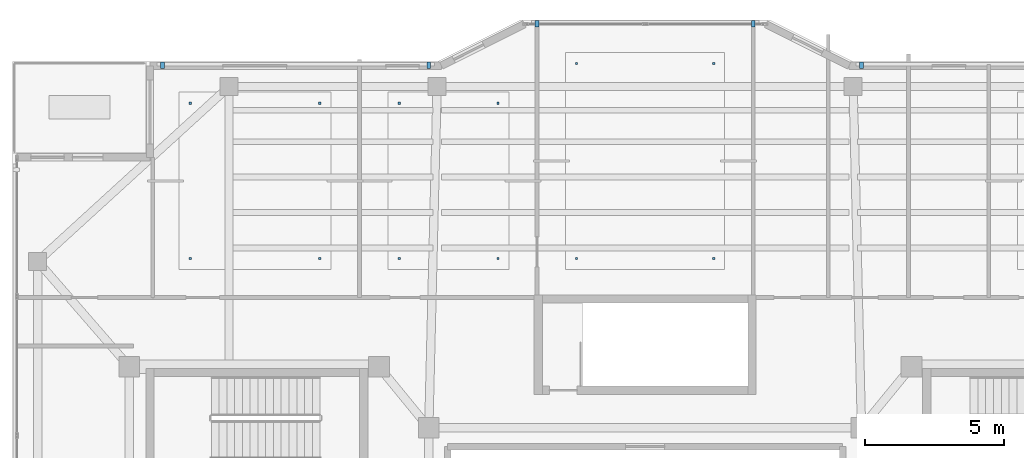
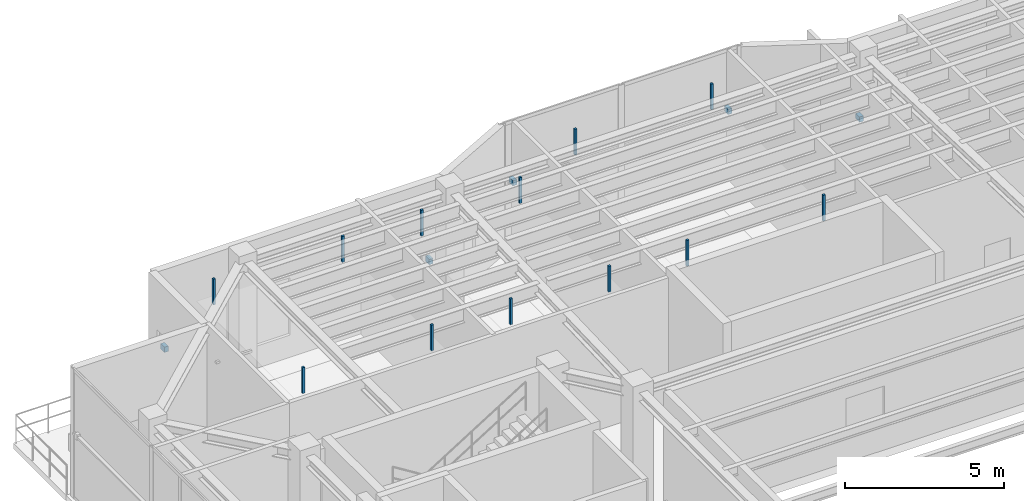
# One storey, part 19 of 23: 17 discrete accessories.
"""IFC4 building model written with IfcOpenShell, lengths in metres."""

from ifc_helpers import new_model, si_unit, direction, frame, origin, origin_2d, place, context, subcontext, project, spatial, rectangle, extrude, material, type_object, element, save


model = new_model("IFC4")

# Units and contexts
model_context = context("Model", 3, precision=1e-05, world=origin(), true_north=direction((0.0, 1.0)))
body_context = subcontext(model_context, "Body", "Model", "MODEL_VIEW")
ifc_project = project(units=[si_unit("LENGTHUNIT", "METRE"), si_unit("AREAUNIT", "SQUARE_METRE"), si_unit("VOLUMEUNIT", "CUBIC_METRE"), si_unit("PLANEANGLEUNIT", "RADIAN"), si_unit("MASSUNIT", "GRAM", prefix="KILO")], contexts=[model_context])

# Site, building, storey
site_placement = place(None, origin())
site = spatial("IfcSite", under=ifc_project, at=site_placement, CompositionType="ELEMENT")
building_placement = place(site_placement, origin())
building = spatial("IfcBuilding", under=site, at=building_placement, Name="Tarnavaz Court Tower", CompositionType="ELEMENT")
storey_placement = place(building_placement, frame((0.0, 0.0, 276.300048828125)))
storey = spatial("IfcBuildingStorey", under=building, at=storey_placement, Name="L75", CompositionType="ELEMENT", Elevation=276.300048828125)

# Discrete accessories
ifc_material = material(Name="Anodised Aluminium 6063-T6", Category="aluminium")
discrete_accessory_type = type_object("IfcDiscreteAccessoryType", Name="DA-BRKT-ALU", PredefinedType="BRACKET", material=ifc_material)
for number, where, z_axis, x_axis, name in (
    (1, (-17.39990234375, 20.8701171875, 1.75), (0.0, 0.0, 1.0), (1.0, 0.0, 0.0), "L75 Baguette Outrigger Bracket FBG05-1"),
    (2, (-7.800048828125, 20.8701171875, 1.75), (0.0, 0.0, 1.0), (1.0, 0.0, 0.0), "L75 Baguette Outrigger Bracket FBG05-2"),
    (3, (-3.89990234375, 22.3701171875, 2.5), (0.0, 0.0, 1.0), (1.0, 0.0, 0.0), "L75 Baguette Outrigger Bracket OBG7-1"),
    (4, (3.89990234375, 22.3701171875, 2.5), (0.0, 0.0, 1.0), (1.0, 0.0, 0.0), "L75 Baguette Outrigger Bracket OBG7-2"),
    (5, (7.800048828125, 20.8701171875, 1.75), (0.0, 0.0, 1.0), (1.0, 0.0, 0.0), "L75 Baguette Outrigger Bracket FBG09-1"),
):
    element("IfcDiscreteAccessory", number, at=place(storey_placement, frame(where, z_axis=z_axis, x_axis=x_axis)), inside=storey, type_object=discrete_accessory_type, Name=name, PredefinedType="BRACKET", context=body_context, shape_type="SweptSolid", body=[
        extrude(rectangle(XDim=0.139892578125, YDim=0.239990234375, at=origin_2d()), origin(), (0.0, 0.0, 1.0), 0.199951171875),
    ])
for number, where, z_axis, x_axis, name in (
    (6, (-16.39990234375, 13.89990234375, 3.98974609375), (0.0, 0.0, 1.0), (1.0, 0.0, 0.0), "L75 Ceiling Suspension Hanger Bracket 01-1"),
    (7, (-11.72802734375, 13.89990234375, 3.98974609375), (0.0, 0.0, 1.0), (1.0, 0.0, 0.0), "L75 Ceiling Suspension Hanger Bracket 01-2"),
    (8, (-11.72802734375, 19.5, 3.98974609375), (0.0, 0.0, 1.0), (1.0, 0.0, 0.0), "L75 Ceiling Suspension Hanger Bracket 01-3"),
    (9, (-16.39990234375, 19.5, 3.98974609375), (0.0, 0.0, 1.0), (1.0, 0.0, 0.0), "L75 Ceiling Suspension Hanger Bracket 01-4"),
    (10, (-8.867919921875, 13.89990234375, 3.98974609375), (0.0, 0.0, 1.0), (1.0, 0.0, 0.0), "L75 Ceiling Suspension Hanger Bracket 02-1"),
    (11, (-5.300048828125, 13.89990234375, 3.98974609375), (0.0, 0.0, 1.0), (1.0, 0.0, 0.0), "L75 Ceiling Suspension Hanger Bracket 02-2"),
    (12, (-5.300048828125, 19.5, 3.98974609375), (0.0, 0.0, 1.0), (1.0, 0.0, 0.0), "L75 Ceiling Suspension Hanger Bracket 02-3"),
    (13, (-8.867919921875, 19.5, 3.98974609375), (0.0, 0.0, 1.0), (1.0, 0.0, 0.0), "L75 Ceiling Suspension Hanger Bracket 02-4"),
    (14, (-2.469970703125, 13.89990234375, 3.98974609375), (0.0, 0.0, 1.0), (1.0, 0.0, 0.0), "L75 Ceiling Suspension Hanger Bracket 03-1"),
    (15, (2.469970703125, 13.89990234375, 3.98974609375), (0.0, 0.0, 1.0), (1.0, 0.0, 0.0), "L75 Ceiling Suspension Hanger Bracket 03-2"),
    (16, (2.469970703125, 20.929931640625, 3.98974609375), (0.0, 0.0, 1.0), (1.0, 0.0, 0.0), "L75 Ceiling Suspension Hanger Bracket 03-3"),
    (17, (-2.469970703125, 20.929931640625, 3.98974609375), (0.0, 0.0, 1.0), (1.0, 0.0, 0.0), "L75 Ceiling Suspension Hanger Bracket 03-4"),
):
    element("IfcDiscreteAccessory", number, at=place(storey_placement, frame(where, z_axis=z_axis, x_axis=x_axis)), inside=storey, type_object=discrete_accessory_type, Name=name, PredefinedType="BRACKET", context=body_context, shape_type="SweptSolid", body=[
        extrude(rectangle(XDim=0.080078125, YDim=0.080078125, at=origin_2d()), origin(), (0.0, 0.0, 1.0), 0.989990234375),
    ])

save(model, "model.ifc")
